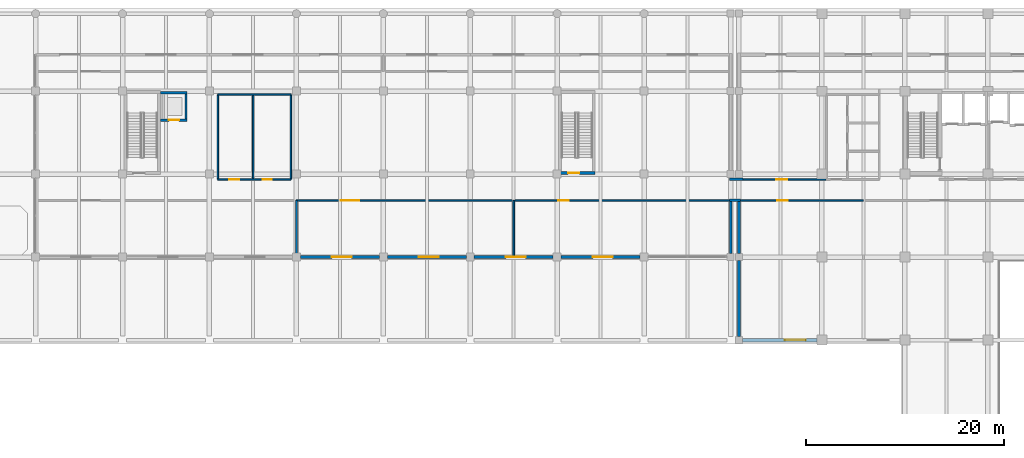
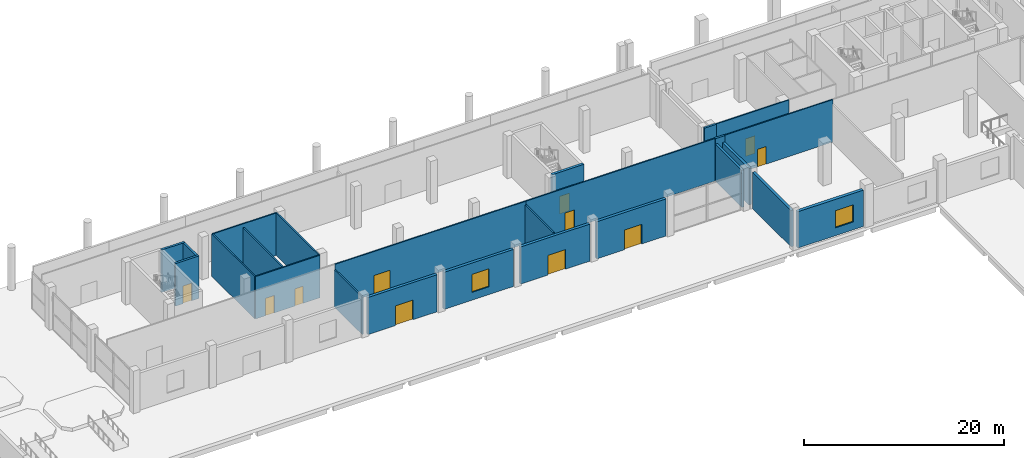
# One storey, part 21 of 34: 25 walls, 11 doors, 2 windows, 13 openings.
"""IFC4 building model written with IfcOpenShell, lengths in metres."""

import ifcopenshell
import ifcopenshell.guid

model = None  # the IFC model being written
_history = None  # IfcOwnerHistory: only IFC2X3 demands one
_inside = {}  # id of a spatial element -> (the spatial element, [elements in it])
_under = {}  # id of a project, library or spatial element -> (it, [spatial elements below it])
_declared = {}  # id of a project -> (the project, [libraries it declares])
_typed = {}  # id of a type object -> (the type object, [elements of that type])
_made_of = {}  # id of a material, layer set ... -> (it, [elements and type objects made of it])


def new_model(schema):
    """Start an empty IFC model of exactly this schema.

    Asked for "IFC4X3", IfcOpenShell would pick the latest addendum, in which some entities
    have other attributes; the version numbers below select the first issue.
    IFC2X3 requires an IfcOwnerHistory on every rooted entity: one is made here for all.
    """
    global model, _history
    if schema == "IFC4X3":
        model = ifcopenshell.file(schema_version=(4, 3, 0, 0))
    else:
        model = ifcopenshell.file(schema=schema)
    _inside.clear()
    _under.clear()
    _declared.clear()
    _typed.clear()
    _made_of.clear()
    _history = None
    if model.schema == "IFC2X3":
        org = make("IfcOrganization", Name="unknown")
        user = make(
            "IfcPersonAndOrganization",
            ThePerson=make("IfcPerson", FamilyName="unknown"),
            TheOrganization=org,
        )
        app = make(
            "IfcApplication",
            ApplicationDeveloper=org,
            Version="unknown",
            ApplicationFullName="unknown",
            ApplicationIdentifier="unknown",
        )
        _history = make(
            "IfcOwnerHistory",
            OwningUser=user,
            OwningApplication=app,
            ChangeAction="ADDED",
            CreationDate=0,
        )
    return model


def make(cls, **values):
    """One entity of the class cls with the attributes given. An attribute that is None is left unset."""
    return model.create_entity(
        cls, **{name: value for name, value in values.items() if value is not None}
    )


def rooted(cls, **values):
    """An entity with a GlobalId (a new one), such as an element, a storey or a relation."""
    return make(cls, GlobalId=ifcopenshell.guid.new(), OwnerHistory=_history, **values)


def si_unit(unit_type, name, prefix=None):
    """IfcSIUnit, for example si_unit("LENGTHUNIT", "METRE", prefix="MILLI")."""
    return make("IfcSIUnit", UnitType=unit_type, Prefix=prefix, Name=name)


def assignment(units):
    """IfcUnitAssignment: the units of a project."""
    return None if units is None else make("IfcUnitAssignment", Units=units)


def point(xyz):
    """IfcCartesianPoint."""
    return None if xyz is None else make("IfcCartesianPoint", Coordinates=xyz)


def direction(xyz):
    """IfcDirection."""
    return None if xyz is None else make("IfcDirection", DirectionRatios=xyz)


def frame(location, z_axis=None, x_axis=None):
    """IfcAxis2Placement3D, a coordinate frame: its origin and axes. An axis left out is left unset."""
    return make(
        "IfcAxis2Placement3D",
        Location=point(location),
        Axis=direction(z_axis),
        RefDirection=direction(x_axis),
    )


def frame_2d(location, x_axis=None):
    """IfcAxis2Placement2D, a coordinate frame in the plane: its origin and x axis."""
    return make(
        "IfcAxis2Placement2D", Location=point(location), RefDirection=direction(x_axis)
    )


def origin():
    """The frame at (0, 0, 0) with its axes left unset."""
    return frame((0.0, 0.0, 0.0))


def place(relative_to, where):
    """IfcLocalPlacement: puts the frame where relative to a parent placement (None: the world)."""
    return make(
        "IfcLocalPlacement", PlacementRelTo=relative_to, RelativePlacement=where
    )


def context(
    kind, dimensions, precision=None, world=None, true_north=None, identifier=None
):
    """IfcGeometricRepresentationContext, for example the 3D "Model" context."""
    return make(
        "IfcGeometricRepresentationContext",
        ContextIdentifier=identifier,
        ContextType=kind,
        CoordinateSpaceDimension=dimensions,
        Precision=precision,
        WorldCoordinateSystem=world,
        TrueNorth=true_north,
    )


def subcontext(parent, identifier, kind, view, scale=None):
    """IfcGeometricRepresentationSubContext, for example "Body" below "Model"."""
    return make(
        "IfcGeometricRepresentationSubContext",
        ContextIdentifier=identifier,
        ContextType=kind,
        ParentContext=parent,
        TargetScale=scale,
        TargetView=view,
    )


def project(units=None, contexts=None):
    """IfcProject with its units and contexts."""
    return rooted(
        "IfcProject",
        Name="project",
        RepresentationContexts=contexts,
        UnitsInContext=assignment(units),
    )


def spatial(cls, under=None, at=None, **own):
    """A site, building, storey or space (cls), placed at a placement, below another one or the project."""
    s = rooted(cls, ObjectPlacement=at, **own)
    if under is not None:
        _under.setdefault(under.id(), (under, []))[1].append(s)
    return s


def profile(cls, at=None, kind="AREA", **sizes):
    """A parametric profile (cls). Its sizes go by their IFC names, for example OverallWidth=200.0."""
    return make(cls, ProfileType=kind, Position=at, **sizes)


def rectangle(**sizes):
    """IfcRectangleProfileDef."""
    return profile("IfcRectangleProfileDef", **sizes)


def extrude(swept, where, along, depth):
    """IfcExtrudedAreaSolid: the profile swept, set in the frame where, extruded along a direction by depth."""
    return make(
        "IfcExtrudedAreaSolid",
        SweptArea=swept,
        Position=where,
        ExtrudedDirection=direction(along),
        Depth=depth,
    )


def shape(context_of_items, identifier, shape_type, items):
    """IfcShapeRepresentation: the items that make up one representation, for example the "Body"."""
    return make(
        "IfcShapeRepresentation",
        ContextOfItems=context_of_items,
        RepresentationIdentifier=identifier,
        RepresentationType=shape_type,
        Items=items,
    )


def material(Name=None, Category=None):
    """IfcMaterial."""
    return make("IfcMaterial", Name=Name, Category=Category)


def layer(
    of_material, thickness, ventilated=None, Name=None, Category=None, Priority=None
):
    """IfcMaterialLayer: one layer of a wall or slab, of a material (None: an air gap)."""
    return make(
        "IfcMaterialLayer",
        Material=of_material,
        LayerThickness=thickness,
        IsVentilated=ventilated,
        Name=Name,
        Category=Category,
        Priority=Priority,
    )


def layer_set(layers, Name=None):
    """IfcMaterialLayerSet."""
    return make("IfcMaterialLayerSet", MaterialLayers=layers, LayerSetName=Name)


def made_of(thing, what):
    """Note that an element or type object is made of a material, layer set ...; save() writes the relation."""
    if what is not None:
        _made_of.setdefault(what.id(), (what, []))[1].append(thing)
    return thing


def type_object(cls, material=None, **own):
    """A type object (cls), such as IfcWallType, which elements share."""
    return made_of(rooted(cls, **own), material)


def element(
    cls,
    number,
    at=None,
    inside=None,
    cuts=None,
    type_object=None,
    material=None,
    context=None,
    identifier="Body",
    shape_type=None,
    held_by="IfcProductDefinitionShape",
    body=None,
    shapes=None,
    **own,
):
    """One element of the class cls, such as IfcWall. Its Tag is "e" and its number.

    at: its placement. inside: the storey or other place that contains it. cuts: it is an
    opening in that element (IfcRelVoidsElement). A single representation is given by context,
    identifier, shape_type and body (its items); several are given by shapes. held_by: the class
    of the entity that holds the representations. save() writes the other relations.
    """
    e = rooted(cls, Tag="e%d" % number, ObjectPlacement=at, **own)
    if body is not None:
        shapes = [shape(context, identifier, shape_type, body)]
    if shapes is not None:
        e.Representation = make(held_by, Representations=shapes)
    if inside is not None:
        _inside.setdefault(inside.id(), (inside, []))[1].append(e)
    if cuts is not None:
        rooted(
            "IfcRelVoidsElement", RelatingBuildingElement=cuts, RelatedOpeningElement=e
        )
    if type_object is not None:
        _typed.setdefault(type_object.id(), (type_object, []))[1].append(e)
    return made_of(e, material)


def fill(opening, filler):
    """IfcRelFillsElement: the door or window that sits in an opening."""
    return rooted(
        "IfcRelFillsElement",
        RelatingOpeningElement=opening,
        RelatedBuildingElement=filler,
    )


def aggregate(whole, parts):
    """IfcRelAggregates: a whole, such as a stair, and the parts it consists of."""
    return rooted("IfcRelAggregates", RelatingObject=whole, RelatedObjects=parts)


def save(model, path):
    """Write the relations noted so far, then the file.

    IfcRelAggregates (storeys below a building ...), IfcRelContainedInSpatialStructure (elements
    in a storey), IfcRelDefinesByType, IfcRelAssociatesMaterial and IfcRelDeclares: one each for
    every whole, place, type object, material and project.
    """
    for whole, parts in _under.values():
        aggregate(whole, parts)
    for where, things in _inside.values():
        rooted(
            "IfcRelContainedInSpatialStructure",
            RelatedElements=things,
            RelatingStructure=where,
        )
    for kind, things in _typed.values():
        rooted("IfcRelDefinesByType", RelatedObjects=things, RelatingType=kind)
    for what, things in _made_of.values():
        rooted("IfcRelAssociatesMaterial", RelatedObjects=things, RelatingMaterial=what)
    for by, libraries in _declared.values():
        rooted("IfcRelDeclares", RelatingContext=by, RelatedDefinitions=libraries)
    model.write(path)


model = new_model("IFC4")

# Units and contexts
model_context = context("Model", 3, precision=1e-05, world=origin(), true_north=direction((0.0, 1.0)))
body_context = subcontext(model_context, "Body", "Model", "MODEL_VIEW")
ifc_project = project(units=[si_unit("LENGTHUNIT", "METRE"), si_unit("AREAUNIT", "SQUARE_METRE"), si_unit("VOLUMEUNIT", "CUBIC_METRE"), si_unit("PLANEANGLEUNIT", "RADIAN"), si_unit("MASSUNIT", "GRAM", prefix="KILO")], contexts=[model_context])

# Site, building, storey
site_placement = place(None, origin())
site = spatial("IfcSite", under=ifc_project, at=site_placement, CompositionType="ELEMENT")
building_placement = place(site_placement, origin())
building = spatial("IfcBuilding", under=site, at=building_placement, Name="Brinegate Botanical Conservatory", CompositionType="ELEMENT")
storey_placement = place(building_placement, origin())
storey = spatial("IfcBuildingStorey", under=building, at=storey_placement, Name="L01", CompositionType="ELEMENT", Elevation=0.0)

# Walls
ifc_material_1 = material(Name="Fujian grey granite ashlar masonry", Category="masonry")
ifc_layer_1 = layer(ifc_material_1, 0.239990234375, Name="Fujian grey granite ashlar masonry", Category="masonry")
ifc_layer_set_1 = layer_set([ifc_layer_1], Name="Fujian grey granite ashlar masonry")
wall_type_1 = type_object("IfcWallType", Name="Wall_EW-240A", PredefinedType="STANDARD", material=ifc_layer_set_1)
wall_1_placement = place(storey_placement, frame((122.139892578125, 92.550048828125, 0.0), z_axis=(0.0, 0.0, 1.0), x_axis=(-1.0, 0.0, 0.0)))
element("IfcWall", 1, at=wall_1_placement, inside=storey, type_object=wall_type_1, Name="Seismic-joint corridor link wall L01 S", PredefinedType="STANDARD", context=body_context, shape_type="SweptSolid", body=[
    extrude(rectangle(XDim=1.10986328125, YDim=0.239990234375, at=frame_2d((0.554931640625, 0.0))), origin(), (0.0, 0.0, 1.0), 5.179931640625),
])
wall_2_placement = place(storey_placement, frame((121.030029296875, 94.679931640625, 0.0), z_axis=(0.0, 0.0, 1.0), x_axis=(1.0, 0.0, 0.0)))
element("IfcWall", 2, at=wall_2_placement, inside=storey, type_object=wall_type_1, Name="Seismic-joint corridor link wall L01 N", PredefinedType="STANDARD", context=body_context, shape_type="SweptSolid", body=[
    extrude(rectangle(XDim=1.35986328125, YDim=0.239990234375, at=frame_2d((0.679931640625, 0.0))), origin(), (0.0, 0.0, 1.0), 5.179931640625),
])
ifc_material_2 = material(Name="Precast concrete C40/50 architectural panel", Category="concrete")
ifc_layer_2 = layer(ifc_material_2, 0.260009765625, Name="Precast concrete C40/50 architectural panel", Category="concrete")
ifc_layer_set_2 = layer_set([ifc_layer_2], Name="Precast concrete C40/50 architectural panel")
wall_type_2 = type_object("IfcWallType", Name="Wall_EW-260P", PredefinedType="STANDARD", material=ifc_layer_set_2)
wall_3_placement = place(storey_placement, frame((121.14990234375, 92.419921875, 0.0), z_axis=(0.0, 0.0, 1.0), x_axis=(0.0, -1.0, 0.0)))
element("IfcWall", 3, at=wall_3_placement, inside=storey, type_object=wall_type_2, Name="Visitor east seismic-joint closure wall L01.1", PredefinedType="STANDARD", context=body_context, shape_type="SweptSolid", body=[
    extrude(rectangle(XDim=5.27001953125, YDim=0.260009765625, at=frame_2d((2.635009765625, 0.0))), origin(), (0.0, 0.0, 1.0), 4.530029296875),
])
ifc_material_3 = material(Name="Insulated Minnan red clay brick masonry", Category="masonry")
ifc_layer_3 = layer(ifc_material_3, 0.300048828125, Name="Insulated Minnan red clay brick masonry", Category="masonry")
ifc_layer_set_3 = layer_set([ifc_layer_3], Name="Insulated Minnan red clay brick masonry")
wall_type_3 = type_object("IfcWallType", Name="Wall_EW-300B", PredefinedType="STANDARD", material=ifc_layer_set_3)
wall_4_placement = place(storey_placement, frame((122.0, 78.75, 0.0), z_axis=(0.0, 0.0, 1.0), x_axis=(0.0, 1.0, 0.0)))
element("IfcWall", 4, at=wall_4_placement, inside=storey, type_object=wall_type_3, Name="Tower west wall L01.S1", PredefinedType="STANDARD", context=body_context, shape_type="SweptSolid", body=[
    extrude(rectangle(XDim=7.699951171875, YDim=0.300048828125, at=frame_2d((3.85009765625, 0.0))), origin(), (0.0, 0.0, 1.0), 4.429931640625),
])
wall_5_placement = place(storey_placement, frame((122.0, 87.14990234375, 0.0), z_axis=(0.0, 0.0, 1.0), x_axis=(0.0, 1.0, 0.0)))
element("IfcWall", 5, at=wall_5_placement, inside=storey, type_object=wall_type_3, Name="Tower seismic-joint west wall L01.2", PredefinedType="STANDARD", context=body_context, shape_type="SweptSolid", body=[
    extrude(rectangle(XDim=5.27001953125, YDim=0.300048828125, at=frame_2d((2.635009765625, 0.0))), origin(), (0.0, 0.0, 1.0), 4.429931640625),
])

# Wall, opening, door
ifc_layer_4 = layer(ifc_material_3, 0.320068359375, Name="Insulated Minnan red clay brick masonry", Category="masonry")
ifc_layer_set_4 = layer_set([ifc_layer_4], Name="Insulated Minnan red clay brick masonry")
wall_type_4 = type_object("IfcWallType", Name="Wall_EW-320B", PredefinedType="STANDARD", material=ifc_layer_set_4)
wall_6_placement = place(storey_placement, frame((85.60009765625, 86.800048828125, 0.0), z_axis=(0.0, 0.0, 1.0), x_axis=(-1.0, 0.0, 0.0)))
wall_6 = element("IfcWall", 6, at=wall_6_placement, inside=storey, type_object=wall_type_4, Name="Visitor south court portal wall 4", PredefinedType="STANDARD", context=body_context, shape_type="SweptSolid", body=[
    extrude(rectangle(XDim=8.0, YDim=0.320068359375, at=frame_2d((4.0, 0.0))), origin(), (0.0, 0.0, 1.0), 4.530029296875),
])
opening_1_placement = place(wall_6_placement, frame((2.800048828125, 0.0, 0.0)))
opening_1 = element("IfcOpeningElement", 7, at=opening_1_placement, cuts=wall_6, Name="Opening EX-01", PredefinedType="OPENING", context=body_context, shape_type="SweptSolid", body=[
    extrude(rectangle(XDim=2.0, YDim=2.39990234375, at=frame_2d((1.0, 1.199951171875))), frame((0.0, 0.169921875, 0.0), z_axis=(0.0, -1.0, 0.0), x_axis=(1.0, 0.0, 0.0)), (0.0, 0.0, 1.0), 0.340087890625),
])
ifc_material_4 = material(Name="Anodised aluminium and laminated safety glass", Category="aluminium")
door_type_1 = type_object("IfcDoorType", Name="Door_EX-01", OperationType="NOTDEFINED", PredefinedType="DOOR", material=ifc_material_4)
door_1_placement = place(opening_1_placement, origin())
door_1 = element("IfcDoor", 8, at=door_1_placement, inside=storey, type_object=door_type_1, Name="DR-V3-COURT-4", OperationType="SINGLE_SWING_RIGHT", OverallHeight=2.39990234375, OverallWidth=2.0, PredefinedType="DOOR", context=body_context, shape_type="SweptSolid", body=[
    extrude(rectangle(XDim=2.0, YDim=2.39990234375, at=frame_2d((1.0, 1.199951171875))), frame((0.0, 0.02490234375, 0.0), z_axis=(0.0, -1.0, 0.0), x_axis=(1.0, 0.0, 0.0)), (0.0, 0.0, 1.0), 0.050048828125),
])
fill(opening_1, door_1)

# Wall, opening, window
wall_7_placement = place(storey_placement, frame((94.39990234375, 86.800048828125, 0.0), z_axis=(0.0, 0.0, 1.0), x_axis=(-1.0, 0.0, 0.0)))
wall_7 = element("IfcWall", 9, at=wall_7_placement, inside=storey, type_object=wall_type_4, Name="Visitor south brick wall L01.5", PredefinedType="STANDARD", context=body_context, shape_type="SweptSolid", body=[
    extrude(rectangle(XDim=8.0, YDim=0.320068359375, at=frame_2d((4.0, 0.0))), origin(), (0.0, 0.0, 1.0), 4.530029296875),
])
opening_2_placement = place(wall_7_placement, frame((2.800048828125, 0.0, 0.949951171875)))
opening_2 = element("IfcOpeningElement", 10, at=opening_2_placement, cuts=wall_7, Name="Opening WN-11", PredefinedType="OPENING", context=body_context, shape_type="SweptSolid", body=[
    extrude(rectangle(XDim=2.0, YDim=2.199951171875, at=frame_2d((1.0, 1.10009765625))), frame((0.0, 0.169921875, 0.0), z_axis=(0.0, -1.0, 0.0), x_axis=(1.0, 0.0, 0.0)), (0.0, 0.0, 1.0), 0.340087890625),
])
ifc_material_5 = material(Name="Thermally broken aluminium-framed Low-E glass", Category="aluminium")
window_type_1 = type_object("IfcWindowType", Name="Win_WN-11", PartitioningType="DOUBLE_PANEL_VERTICAL", PredefinedType="WINDOW", material=ifc_material_5)
window_1_placement = place(opening_2_placement, origin())
window_1 = element("IfcWindow", 11, at=window_1_placement, inside=storey, type_object=window_type_1, Name="Visitor south court window L01.5", OverallHeight=2.199951171875, OverallWidth=2.0, PartitioningType="DOUBLE_PANEL_VERTICAL", PredefinedType="WINDOW", context=body_context, shape_type="SweptSolid", body=[
    extrude(rectangle(XDim=2.0, YDim=2.199951171875, at=frame_2d((1.0, 1.10009765625))), frame((0.0, 0.030029296875, 0.0), z_axis=(0.0, -1.0, 0.0), x_axis=(1.0, 0.0, 0.0)), (0.0, 0.0, 1.0), 0.06005859375),
])
fill(opening_2, window_1)

# Wall, opening, door
wall_8_placement = place(storey_placement, frame((103.199951171875, 86.800048828125, 0.0), z_axis=(0.0, 0.0, 1.0), x_axis=(-1.0, 0.0, 0.0)))
wall_8 = element("IfcWall", 12, at=wall_8_placement, inside=storey, type_object=wall_type_4, Name="Visitor south court portal wall 6", PredefinedType="STANDARD", context=body_context, shape_type="SweptSolid", body=[
    extrude(rectangle(XDim=8.0, YDim=0.320068359375, at=frame_2d((4.0, 0.0))), origin(), (0.0, 0.0, 1.0), 4.530029296875),
])
opening_3_placement = place(wall_8_placement, frame((2.800048828125, 0.0, 0.0)))
opening_3 = element("IfcOpeningElement", 13, at=opening_3_placement, cuts=wall_8, Name="Opening EX-01", PredefinedType="OPENING", context=body_context, shape_type="SweptSolid", body=[
    extrude(rectangle(XDim=2.0, YDim=2.39990234375, at=frame_2d((1.0, 1.199951171875))), frame((0.0, 0.169921875, 0.0), z_axis=(0.0, -1.0, 0.0), x_axis=(1.0, 0.0, 0.0)), (0.0, 0.0, 1.0), 0.340087890625),
])
door_2_placement = place(opening_3_placement, origin())
door_2 = element("IfcDoor", 14, at=door_2_placement, inside=storey, type_object=door_type_1, Name="DR-V3-COURT-6", OperationType="SINGLE_SWING_RIGHT", OverallHeight=2.39990234375, OverallWidth=2.0, PredefinedType="DOOR", context=body_context, shape_type="SweptSolid", body=[
    extrude(rectangle(XDim=2.0, YDim=2.39990234375, at=frame_2d((1.0, 1.199951171875))), frame((0.0, 0.02490234375, 0.0), z_axis=(0.0, -1.0, 0.0), x_axis=(1.0, 0.0, 0.0)), (0.0, 0.0, 1.0), 0.050048828125),
])
fill(opening_3, door_2)

wall_9_placement = place(storey_placement, frame((112.0, 86.800048828125, 0.0), z_axis=(0.0, 0.0, 1.0), x_axis=(-1.0, 0.0, 0.0)))
wall_9 = element("IfcWall", 15, at=wall_9_placement, inside=storey, type_object=wall_type_4, Name="Visitor south court portal wall 7", PredefinedType="STANDARD", context=body_context, shape_type="SweptSolid", body=[
    extrude(rectangle(XDim=8.0, YDim=0.320068359375, at=frame_2d((4.0, 0.0))), origin(), (0.0, 0.0, 1.0), 4.530029296875),
])
opening_4_placement = place(wall_9_placement, frame((2.800048828125, 0.0, 0.0)))
opening_4 = element("IfcOpeningElement", 16, at=opening_4_placement, cuts=wall_9, Name="Opening EX-01", PredefinedType="OPENING", context=body_context, shape_type="SweptSolid", body=[
    extrude(rectangle(XDim=2.0, YDim=2.39990234375, at=frame_2d((1.0, 1.199951171875))), frame((0.0, 0.169921875, 0.0), z_axis=(0.0, -1.0, 0.0), x_axis=(1.0, 0.0, 0.0)), (0.0, 0.0, 1.0), 0.340087890625),
])
door_3_placement = place(opening_4_placement, origin())
door_3 = element("IfcDoor", 17, at=door_3_placement, inside=storey, type_object=door_type_1, Name="DR-V3-COURT-7", OperationType="SINGLE_SWING_RIGHT", OverallHeight=2.39990234375, OverallWidth=2.0, PredefinedType="DOOR", context=body_context, shape_type="SweptSolid", body=[
    extrude(rectangle(XDim=2.0, YDim=2.39990234375, at=frame_2d((1.0, 1.199951171875))), frame((0.0, 0.02490234375, 0.0), z_axis=(0.0, -1.0, 0.0), x_axis=(1.0, 0.0, 0.0)), (0.0, 0.0, 1.0), 0.050048828125),
])
fill(opening_4, door_3)

# Wall, opening, window
ifc_layer_5 = layer(ifc_material_3, 0.360107421875, Name="Insulated Minnan red clay brick masonry", Category="masonry")
ifc_layer_set_5 = layer_set([ifc_layer_5], Name="Insulated Minnan red clay brick masonry")
wall_type_5 = type_object("IfcWallType", Name="Wall_EW-360B", PredefinedType="STANDARD", material=ifc_layer_set_5)
wall_10_placement = place(storey_placement, frame((129.89990234375, 78.39990234375, 0.0), z_axis=(0.0, 0.0, 1.0), x_axis=(-1.0, 0.0, 0.0)))
wall_10 = element("IfcWall", 18, at=wall_10_placement, inside=storey, type_object=wall_type_5, Name="Tower south facade wall L01.1", PredefinedType="STANDARD", context=body_context, shape_type="SweptSolid", body=[
    extrude(rectangle(XDim=7.5498046875, YDim=0.360107421875, at=frame_2d((3.77490234375, 0.0))), origin(), (0.0, 0.0, 1.0), 4.429931640625),
])
opening_5_placement = place(wall_10_placement, frame((1.14990234375, 0.0, 0.949951171875)))
opening_5 = element("IfcOpeningElement", 19, at=opening_5_placement, cuts=wall_10, Name="Opening WN-02", PredefinedType="OPENING", context=body_context, shape_type="SweptSolid", body=[
    extrude(rectangle(XDim=2.10009765625, YDim=2.10009765625, at=frame_2d((1.050048828125, 1.050048828125))), frame((0.0, 0.18994140625, 0.0), z_axis=(0.0, -1.0, 0.0), x_axis=(1.0, 0.0, 0.0)), (0.0, 0.0, 1.0), 0.380126953125),
])
window_type_2 = type_object("IfcWindowType", Name="Win_WN-02", PartitioningType="DOUBLE_PANEL_VERTICAL", PredefinedType="WINDOW", material=ifc_material_5)
window_2_placement = place(opening_5_placement, origin())
window_2 = element("IfcWindow", 20, at=window_2_placement, inside=storey, type_object=window_type_2, Name="Tower south window L01.1", OverallHeight=2.10009765625, OverallWidth=2.10009765625, PartitioningType="DOUBLE_PANEL_VERTICAL", PredefinedType="WINDOW", context=body_context, shape_type="SweptSolid", body=[
    extrude(rectangle(XDim=2.10009765625, YDim=2.10009765625, at=frame_2d((1.050048828125, 1.050048828125))), frame((0.0, 0.030029296875, 0.0), z_axis=(0.0, -1.0, 0.0), x_axis=(1.0, 0.0, 0.0)), (0.0, 0.0, 1.0), 0.06005859375),
])
fill(opening_5, window_2)

# Wall, opening, door
ifc_material_6 = material(Name="Gypsum-clad acoustic steel-stud partition", Category="steel")
ifc_layer_6 = layer(ifc_material_6, 0.14501953125, Name="Gypsum-clad acoustic steel-stud partition", Category="steel")
ifc_layer_set_6 = layer_set([ifc_layer_6], Name="Gypsum-clad acoustic steel-stud partition")
wall_type_6 = type_object("IfcWallType", Name="Wall_PW-150", PredefinedType="PARTITIONING", material=ifc_layer_set_6)
wall_11_placement = place(storey_placement, frame((77.199951171875, 92.550048828125, 0.0), z_axis=(0.0, 0.0, 1.0), x_axis=(1.0, 0.0, 0.0)))
wall_11 = element("IfcWall", 21, at=wall_11_placement, inside=storey, type_object=wall_type_6, Name="Interior partition P-L01-V3-CAFE", PredefinedType="PARTITIONING", context=body_context, shape_type="SweptSolid", body=[
    extrude(rectangle(XDim=22.0, YDim=0.14501953125, at=frame_2d((11.0, 0.0))), origin(), (0.0, 0.0, 1.0), 5.179931640625),
])
opening_6_placement = place(wall_11_placement, frame((4.5, 0.0, 0.0)))
opening_6 = element("IfcOpeningElement", 22, at=opening_6_placement, cuts=wall_11, Name="Opening DR-DBL1", PredefinedType="OPENING", context=body_context, shape_type="SweptSolid", body=[
    extrude(rectangle(XDim=1.85009765625, YDim=2.25, at=frame_2d((0.925048828125, 1.125))), frame((0.0, 0.08251953125, 0.0), z_axis=(0.0, -1.0, 0.0), x_axis=(1.0, 0.0, 0.0)), (0.0, 0.0, 1.0), 0.1650390625),
])
ifc_material_7 = material(Name="Anodised aluminium and safety glass", Category="aluminium")
door_type_2 = type_object("IfcDoorType", Name="Door_DR-DBL1", OperationType="NOTDEFINED", PredefinedType="DOOR", material=ifc_material_7)
door_4_placement = place(opening_6_placement, origin())
door_4 = element("IfcDoor", 23, at=door_4_placement, inside=storey, type_object=door_type_2, Name="DR-P-L01-V3-CAFE-1", OperationType="SINGLE_SWING_LEFT", OverallHeight=2.25, OverallWidth=1.85009765625, PredefinedType="DOOR", context=body_context, shape_type="SweptSolid", body=[
    extrude(rectangle(XDim=1.85009765625, YDim=2.25, at=frame_2d((0.925048828125, 1.125))), frame((0.0, 0.02490234375, 0.0), z_axis=(0.0, -1.0, 0.0), x_axis=(1.0, 0.0, 0.0)), (0.0, 0.0, 1.0), 0.050048828125),
])
fill(opening_6, door_4)

wall_12_placement = place(storey_placement, frame((99.199951171875, 92.550048828125, 0.0), z_axis=(0.0, 0.0, 1.0), x_axis=(1.0, 0.0, 0.0)))
wall_12 = element("IfcWall", 24, at=wall_12_placement, inside=storey, type_object=wall_type_6, Name="Interior partition P-L01-V3-SHOP", PredefinedType="PARTITIONING", context=body_context, shape_type="SweptSolid", body=[
    extrude(rectangle(XDim=21.820068359375, YDim=0.14501953125, at=frame_2d((10.91015625, 0.0))), origin(), (0.0, 0.0, 1.0), 5.179931640625),
])
opening_7_placement = place(wall_12_placement, frame((4.5, 0.0, 0.0)))
opening_7 = element("IfcOpeningElement", 25, at=opening_7_placement, cuts=wall_12, Name="Opening DR-01", PredefinedType="OPENING", context=body_context, shape_type="SweptSolid", body=[
    extrude(rectangle(XDim=1.080078125, YDim=2.14990234375, at=frame_2d((0.5400390625, 1.074951171875))), frame((0.0, 0.08251953125, 0.0), z_axis=(0.0, -1.0, 0.0), x_axis=(1.0, 0.0, 0.0)), (0.0, 0.0, 1.0), 0.1650390625),
])
ifc_material_8 = material(Name="Hardwood timber acoustic leaf", Category="wood")
door_type_3 = type_object("IfcDoorType", Name="Door_DR-01", OperationType="NOTDEFINED", PredefinedType="DOOR", material=ifc_material_8)
door_5_placement = place(opening_7_placement, origin())
door_5 = element("IfcDoor", 26, at=door_5_placement, inside=storey, type_object=door_type_3, Name="DR-P-L01-V3-SHOP-1", OperationType="SINGLE_SWING_LEFT", OverallHeight=2.14990234375, OverallWidth=1.080078125, PredefinedType="DOOR", context=body_context, shape_type="SweptSolid", body=[
    extrude(rectangle(XDim=1.080078125, YDim=2.14990234375, at=frame_2d((0.5400390625, 1.074951171875))), frame((0.0, 0.02490234375, 0.0), z_axis=(0.0, -1.0, 0.0), x_axis=(1.0, 0.0, 0.0)), (0.0, 0.0, 1.0), 0.050048828125),
])
fill(opening_7, door_5)

wall_13_placement = place(storey_placement, frame((122.39990234375, 94.679931640625, 0.0), z_axis=(0.0, 0.0, 1.0), x_axis=(1.0, 0.0, 0.0)))
wall_13 = element("IfcWall", 27, at=wall_13_placement, inside=storey, type_object=wall_type_6, Name="Interior partition P-L01-MIDW-S", PredefinedType="PARTITIONING", context=body_context, shape_type="SweptSolid", body=[
    extrude(rectangle(XDim=8.400146484375, YDim=0.14501953125, at=frame_2d((4.2001953125, 0.0))), origin(), (0.0, 0.0, 1.0), 5.179931640625),
])
opening_8_placement = place(wall_13_placement, frame((3.39990234375, 0.0, 0.0)))
opening_8 = element("IfcOpeningElement", 28, at=opening_8_placement, cuts=wall_13, Name="Opening DR-01", PredefinedType="OPENING", context=body_context, shape_type="SweptSolid", body=[
    extrude(rectangle(XDim=1.080078125, YDim=2.14990234375, at=frame_2d((0.5400390625, 1.074951171875))), frame((0.0, 0.08251953125, 0.0), z_axis=(0.0, -1.0, 0.0), x_axis=(1.0, 0.0, 0.0)), (0.0, 0.0, 1.0), 0.1650390625),
])
door_6_placement = place(opening_8_placement, origin())
door_6 = element("IfcDoor", 29, at=door_6_placement, inside=storey, type_object=door_type_3, Name="DR-P-L01-MIDW-S-1", OperationType="SINGLE_SWING_LEFT", OverallHeight=2.14990234375, OverallWidth=1.080078125, PredefinedType="DOOR", context=body_context, shape_type="SweptSolid", body=[
    extrude(rectangle(XDim=1.080078125, YDim=2.14990234375, at=frame_2d((0.5400390625, 1.074951171875))), frame((0.0, 0.02490234375, 0.0), z_axis=(0.0, -1.0, 0.0), x_axis=(1.0, 0.0, 0.0)), (0.0, 0.0, 1.0), 0.050048828125),
])
fill(opening_8, door_6)

wall_14_placement = place(storey_placement, frame((122.14990234375, 92.550048828125, 0.0), z_axis=(0.0, 0.0, 1.0), x_axis=(1.0, 0.0, 0.0)))
wall_14 = element("IfcWall", 30, at=wall_14_placement, inside=storey, type_object=wall_type_6, Name="Interior partition P-L01-SB-S1", PredefinedType="PARTITIONING", context=body_context, shape_type="SweptSolid", body=[
    extrude(rectangle(XDim=12.4501953125, YDim=0.14501953125, at=frame_2d((6.22509765625, 0.0))), origin(), (0.0, 0.0, 1.0), 5.179931640625),
])
opening_9_placement = place(wall_14_placement, frame((3.75, 0.0, 0.0)))
opening_9 = element("IfcOpeningElement", 31, at=opening_9_placement, cuts=wall_14, Name="Opening DR-02", PredefinedType="OPENING", context=body_context, shape_type="SweptSolid", body=[
    extrude(rectangle(XDim=1.02001953125, YDim=2.14990234375, at=frame_2d((0.510009765625, 1.074951171875))), frame((0.0, 0.08251953125, 0.0), z_axis=(0.0, -1.0, 0.0), x_axis=(1.0, 0.0, 0.0)), (0.0, 0.0, 1.0), 0.1650390625),
])
ifc_material_9 = material(Name="Phenolic-faced laboratory timber leaf", Category="wood")
door_type_4 = type_object("IfcDoorType", Name="Door_DR-02", OperationType="NOTDEFINED", PredefinedType="DOOR", material=ifc_material_9)
door_7_placement = place(opening_9_placement, origin())
door_7 = element("IfcDoor", 32, at=door_7_placement, inside=storey, type_object=door_type_4, Name="DR-P-L01-SB-S1-1", OperationType="SINGLE_SWING_RIGHT", OverallHeight=2.14990234375, OverallWidth=1.02001953125, PredefinedType="DOOR", context=body_context, shape_type="SweptSolid", body=[
    extrude(rectangle(XDim=1.02001953125, YDim=2.14990234375, at=frame_2d((0.510009765625, 1.074951171875))), frame((0.0, 0.02490234375, 0.0), z_axis=(0.0, -1.0, 0.0), x_axis=(1.0, 0.0, 0.0)), (0.0, 0.0, 1.0), 0.050048828125),
])
fill(opening_9, door_7)

# Wall, openings, doors
ifc_material_10 = material(Name="Moisture-resistant cement-board partition", Category="gypsum")
ifc_layer_7 = layer(ifc_material_10, 0.14990234375, Name="Moisture-resistant cement-board partition", Category="gypsum")
ifc_layer_set_7 = layer_set([ifc_layer_7], Name="Moisture-resistant cement-board partition")
wall_type_7 = type_object("IfcWallType", Name="Wall_PW-150W", PredefinedType="PARTITIONING", material=ifc_layer_set_7)
wall_15_placement = place(storey_placement, frame((69.25, 94.679931640625, 0.0), z_axis=(0.0, 0.0, 1.0), x_axis=(1.0, 0.0, 0.0)))
wall_15 = element("IfcWall", 33, at=wall_15_placement, inside=storey, type_object=wall_type_7, Name="Interior partition P-L01-V3-WCS", PredefinedType="PARTITIONING", context=body_context, shape_type="SweptSolid", body=[
    extrude(rectangle(XDim=7.39990234375, YDim=0.14990234375, at=frame_2d((3.699951171875, 0.0))), origin(), (0.0, 0.0, 1.0), 5.179931640625),
])
opening_10_placement = place(wall_15_placement, frame((1.14990234375, 0.0, 0.0)))
opening_10 = element("IfcOpeningElement", 34, at=opening_10_placement, cuts=wall_15, Name="Opening DR-ACC", PredefinedType="OPENING", context=body_context, shape_type="SweptSolid", body=[
    extrude(rectangle(XDim=1.0, YDim=2.1201171875, at=frame_2d((0.5, 1.06005859375))), frame((0.0, 0.0849609375, 0.0), z_axis=(0.0, -1.0, 0.0), x_axis=(1.0, 0.0, 0.0)), (0.0, 0.0, 1.0), 0.169921875),
])
opening_11_placement = place(wall_15_placement, frame((4.550048828125, 0.0, 0.0)))
opening_11 = element("IfcOpeningElement", 35, at=opening_11_placement, cuts=wall_15, Name="Opening DR-04", PredefinedType="OPENING", context=body_context, shape_type="SweptSolid", body=[
    extrude(rectangle(XDim=0.919921875, YDim=2.10009765625, at=frame_2d((0.4599609375, 1.050048828125))), frame((0.0, 0.0849609375, 0.0), z_axis=(0.0, -1.0, 0.0), x_axis=(1.0, 0.0, 0.0)), (0.0, 0.0, 1.0), 0.169921875),
])
ifc_material_11 = material(Name="Moisture-resistant laminate timber leaf", Category="wood")
door_type_5 = type_object("IfcDoorType", Name="Door_DR-04", OperationType="NOTDEFINED", PredefinedType="DOOR", material=ifc_material_11)
door_8_placement = place(opening_11_placement, origin())
door_8 = element("IfcDoor", 36, at=door_8_placement, inside=storey, type_object=door_type_5, Name="DR-P-L01-V3-WCS-2", OperationType="SINGLE_SWING_LEFT", OverallHeight=2.10009765625, OverallWidth=0.919921875, PredefinedType="DOOR", context=body_context, shape_type="SweptSolid", body=[
    extrude(rectangle(XDim=0.919921875, YDim=2.10009765625, at=frame_2d((0.4599609375, 1.050048828125))), frame((0.0, 0.02490234375, 0.0), z_axis=(0.0, -1.0, 0.0), x_axis=(1.0, 0.0, 0.0)), (0.0, 0.0, 1.0), 0.050048828125),
])
fill(opening_11, door_8)
ifc_material_12 = material(Name="Moisture-resistant barrier-free timber leaf", Category="wood")
door_type_6 = type_object("IfcDoorType", Name="Door_DR-ACC", OperationType="NOTDEFINED", PredefinedType="DOOR", material=ifc_material_12)
door_9_placement = place(opening_10_placement, origin())
door_9 = element("IfcDoor", 37, at=door_9_placement, inside=storey, type_object=door_type_6, Name="DR-P-L01-V3-WCS-1", OperationType="SINGLE_SWING_RIGHT", OverallHeight=2.1201171875, OverallWidth=1.0, PredefinedType="DOOR", context=body_context, shape_type="SweptSolid", body=[
    extrude(rectangle(XDim=1.0, YDim=2.1201171875, at=frame_2d((0.5, 1.06005859375))), frame((0.0, 0.02490234375, 0.0), z_axis=(0.0, -1.0, 0.0), x_axis=(1.0, 0.0, 0.0)), (0.0, 0.0, 1.0), 0.050048828125),
])
fill(opening_10, door_9)

# Walls
wall_16_placement = place(storey_placement, frame((69.25, 94.679931640625, 0.0), z_axis=(0.0, 0.0, 1.0), x_axis=(0.0, 1.0, 0.0)))
element("IfcWall", 38, at=wall_16_placement, inside=storey, type_object=wall_type_7, Name="Interior partition P-L01-V3-WCW", PredefinedType="PARTITIONING", context=body_context, shape_type="SweptSolid", body=[
    extrude(rectangle(XDim=8.570068359375, YDim=0.14990234375, at=frame_2d((4.28515625, 0.0))), origin(), (0.0, 0.0, 1.0), 5.179931640625),
])
wall_17_placement = place(storey_placement, frame((69.25, 103.25, 0.0), z_axis=(0.0, 0.0, 1.0), x_axis=(1.0, 0.0, 0.0)))
element("IfcWall", 39, at=wall_17_placement, inside=storey, type_object=wall_type_7, Name="Interior partition P-L01-V3-WCN", PredefinedType="PARTITIONING", context=body_context, shape_type="SweptSolid", body=[
    extrude(rectangle(XDim=7.39990234375, YDim=0.14990234375, at=frame_2d((3.699951171875, 0.0))), origin(), (0.0, 0.0, 1.0), 5.179931640625),
])
wall_18_placement = place(storey_placement, frame((76.64990234375, 94.679931640625, 0.0), z_axis=(0.0, 0.0, 1.0), x_axis=(0.0, 1.0, 0.0)))
element("IfcWall", 40, at=wall_18_placement, inside=storey, type_object=wall_type_7, Name="Interior partition P-L01-V3-WCE", PredefinedType="PARTITIONING", context=body_context, shape_type="SweptSolid", body=[
    extrude(rectangle(XDim=8.570068359375, YDim=0.14990234375, at=frame_2d((4.28515625, 0.0))), origin(), (0.0, 0.0, 1.0), 5.179931640625),
])
ifc_material_13 = material(Name="Gypsum-clad double-stud acoustic partition", Category="gypsum")
ifc_layer_8 = layer(ifc_material_13, 0.172119140625, Name="Gypsum-clad double-stud acoustic partition", Category="gypsum")
ifc_layer_set_8 = layer_set([ifc_layer_8], Name="Gypsum-clad double-stud acoustic partition")
wall_type_8 = type_object("IfcWallType", Name="Wall_PW-172", PredefinedType="PARTITIONING", material=ifc_layer_set_8)
wall_19_placement = place(storey_placement, frame((72.820068359375, 94.679931640625, 0.0), z_axis=(0.0, 0.0, 1.0), x_axis=(0.0, 1.0, 0.0)))
element("IfcWall", 41, at=wall_19_placement, inside=storey, type_object=wall_type_8, Name="Interior partition P-L01-V3-WCD", PredefinedType="PARTITIONING", context=body_context, shape_type="SweptSolid", body=[
    extrude(rectangle(XDim=8.570068359375, YDim=0.172119140625, at=frame_2d((4.28515625, 0.0))), origin(), (0.0, 0.0, 1.0), 4.72998046875),
])
wall_20_placement = place(storey_placement, frame((77.199951171875, 86.949951171875, 0.0), z_axis=(0.0, 0.0, 1.0), x_axis=(0.0, 1.0, 0.0)))
element("IfcWall", 42, at=wall_20_placement, inside=storey, type_object=wall_type_8, Name="Interior partition P-L01-VSD-V3-CAFE", PredefinedType="PARTITIONING", context=body_context, shape_type="SweptSolid", body=[
    extrude(rectangle(XDim=5.60009765625, YDim=0.172119140625, at=frame_2d((2.800048828125, 0.0))), origin(), (0.0, 0.0, 1.0), 4.530029296875),
])
wall_21_placement = place(storey_placement, frame((99.199951171875, 86.949951171875, 0.0), z_axis=(0.0, 0.0, 1.0), x_axis=(0.0, 1.0, 0.0)))
element("IfcWall", 43, at=wall_21_placement, inside=storey, type_object=wall_type_8, Name="Interior partition P-L01-VSD-V3-SHOP", PredefinedType="PARTITIONING", context=body_context, shape_type="SweptSolid", body=[
    extrude(rectangle(XDim=5.60009765625, YDim=0.172119140625, at=frame_2d((2.800048828125, 0.0))), origin(), (0.0, 0.0, 1.0), 4.72998046875),
])

# Wall, opening, door
ifc_material_14 = material(Name="Concrete C40/50", Category="concrete")
ifc_layer_9 = layer(ifc_material_14, 0.25, Name="Concrete C40/50", Category="concrete")
ifc_layer_set_9 = layer_set([ifc_layer_9], Name="Concrete C40/50")
wall_type_9 = type_object("IfcWallType", Name="Wall_SW-250", PredefinedType="SHEAR", material=ifc_layer_set_9)
wall_22_placement = place(storey_placement, frame((63.449951171875, 100.675048828125, 0.0), z_axis=(0.0, 0.0, 1.0), x_axis=(1.0, 0.0, 0.0)))
wall_22 = element("IfcWall", 44, at=wall_22_placement, inside=storey, type_object=wall_type_9, Name="Lift shaft LF5 shear wall L01 S", PredefinedType="SHEAR", context=body_context, shape_type="SweptSolid", body=[
    extrude(rectangle(XDim=2.699951171875, YDim=0.25, at=frame_2d((1.35009765625, 0.0))), origin(), (0.0, 0.0, 1.0), 5.179931640625),
])
opening_12_placement = place(wall_22_placement, frame((0.830078125, 0.0, 0.0)))
opening_12 = element("IfcOpeningElement", 45, at=opening_12_placement, cuts=wall_22, Name="Opening LD-05", PredefinedType="OPENING", context=body_context, shape_type="SweptSolid", body=[
    extrude(rectangle(XDim=1.0400390625, YDim=2.14990234375, at=frame_2d((0.52001953125, 1.074951171875))), frame((0.0, 0.135009765625, 0.0), z_axis=(0.0, -1.0, 0.0), x_axis=(1.0, 0.0, 0.0)), (0.0, 0.0, 1.0), 0.27001953125),
])
ifc_material_15 = material(Name="Brushed stainless steel S355 landing door", Category="steel")
door_type_7 = type_object("IfcDoorType", Name="Door_LD-05", OperationType="SLIDING_TO_LEFT", PredefinedType="DOOR", material=ifc_material_15)
door_10_placement = place(opening_12_placement, origin())
door_10 = element("IfcDoor", 46, at=door_10_placement, inside=storey, type_object=door_type_7, Name="LD-LF5-L01", OperationType="SLIDING_TO_LEFT", OverallHeight=2.14990234375, OverallWidth=1.0400390625, PredefinedType="DOOR", context=body_context, shape_type="SweptSolid", body=[
    extrude(rectangle(XDim=1.0400390625, YDim=2.14990234375, at=frame_2d((0.52001953125, 1.074951171875))), frame((0.0, 0.02490234375, 0.0), z_axis=(0.0, -1.0, 0.0), x_axis=(1.0, 0.0, 0.0)), (0.0, 0.0, 1.0), 0.050048828125),
])
fill(opening_12, door_10)

# Walls
wall_23_placement = place(storey_placement, frame((63.449951171875, 103.425048828125, 0.0), z_axis=(0.0, 0.0, 1.0), x_axis=(1.0, 0.0, 0.0)))
element("IfcWall", 47, at=wall_23_placement, inside=storey, type_object=wall_type_9, Name="Lift shaft LF5 shear wall L01 N", PredefinedType="SHEAR", context=body_context, shape_type="SweptSolid", body=[
    extrude(rectangle(XDim=2.699951171875, YDim=0.25, at=frame_2d((1.35009765625, 0.0))), origin(), (0.0, 0.0, 1.0), 5.179931640625),
])
wall_24_placement = place(storey_placement, frame((66.02490234375, 100.800048828125, 0.0), z_axis=(0.0, 0.0, 1.0), x_axis=(0.0, 1.0, 0.0)))
element("IfcWall", 48, at=wall_24_placement, inside=storey, type_object=wall_type_9, Name="Lift shaft LF5 shear wall L01 E", PredefinedType="SHEAR", context=body_context, shape_type="SweptSolid", body=[
    extrude(rectangle(XDim=2.5, YDim=0.25, at=frame_2d((1.25, 0.0))), origin(), (0.0, 0.0, 1.0), 5.179931640625),
])

# Wall, opening, door
ifc_layer_10 = layer(ifc_material_14, 0.300048828125, Name="Concrete C40/50", Category="concrete")
ifc_layer_set_10 = layer_set([ifc_layer_10], Name="Concrete C40/50")
wall_type_10 = type_object("IfcWallType", Name="Wall_SW-300", PredefinedType="SHEAR", material=ifc_layer_set_10)
wall_25_placement = place(storey_placement, frame((103.75, 95.300048828125, 0.0), z_axis=(0.0, 0.0, 1.0), x_axis=(1.0, 0.0, 0.0)))
wall_25 = element("IfcWall", 49, at=wall_25_placement, inside=storey, type_object=wall_type_10, Name="Stairwell ST4 shear wall L01 S", PredefinedType="SHEAR", context=body_context, shape_type="SweptSolid", body=[
    extrude(rectangle(XDim=3.699951171875, YDim=0.300048828125, at=frame_2d((1.85009765625, 0.0))), origin(), (0.0, 0.0, 1.0), 5.179931640625),
])
opening_13_placement = place(wall_25_placement, frame((0.949951171875, 0.0, 0.0)))
opening_13 = element("IfcOpeningElement", 50, at=opening_13_placement, cuts=wall_25, Name="Opening FD-B3", PredefinedType="OPENING", context=body_context, shape_type="SweptSolid", body=[
    extrude(rectangle(XDim=1.14990234375, YDim=2.14990234375, at=frame_2d((0.574951171875, 1.074951171875))), frame((0.0, 0.159912109375, 0.0), z_axis=(0.0, -1.0, 0.0), x_axis=(1.0, 0.0, 0.0)), (0.0, 0.0, 1.0), 0.320068359375),
])
ifc_material_16 = material(Name="Steel stairwell fire door", Category="steel")
door_type_8 = type_object("IfcDoorType", Name="Door_FD-B3", OperationType="NOTDEFINED", PredefinedType="DOOR", material=ifc_material_16)
door_11_placement = place(opening_13_placement, origin())
door_11 = element("IfcDoor", 51, at=door_11_placement, inside=storey, type_object=door_type_8, Name="DR-ST-ST4-L01", OperationType="SINGLE_SWING_LEFT", OverallHeight=2.14990234375, OverallWidth=1.14990234375, PredefinedType="DOOR", context=body_context, shape_type="SweptSolid", body=[
    extrude(rectangle(XDim=1.14990234375, YDim=2.14990234375, at=frame_2d((0.574951171875, 1.074951171875))), frame((0.0, 0.02490234375, 0.0), z_axis=(0.0, -1.0, 0.0), x_axis=(1.0, 0.0, 0.0)), (0.0, 0.0, 1.0), 0.050048828125),
])
fill(opening_13, door_11)

save(model, "model.ifc")
